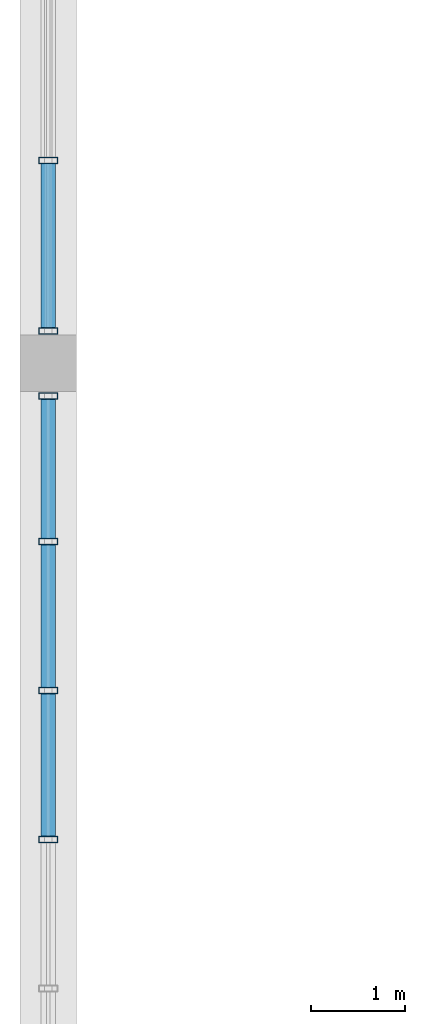
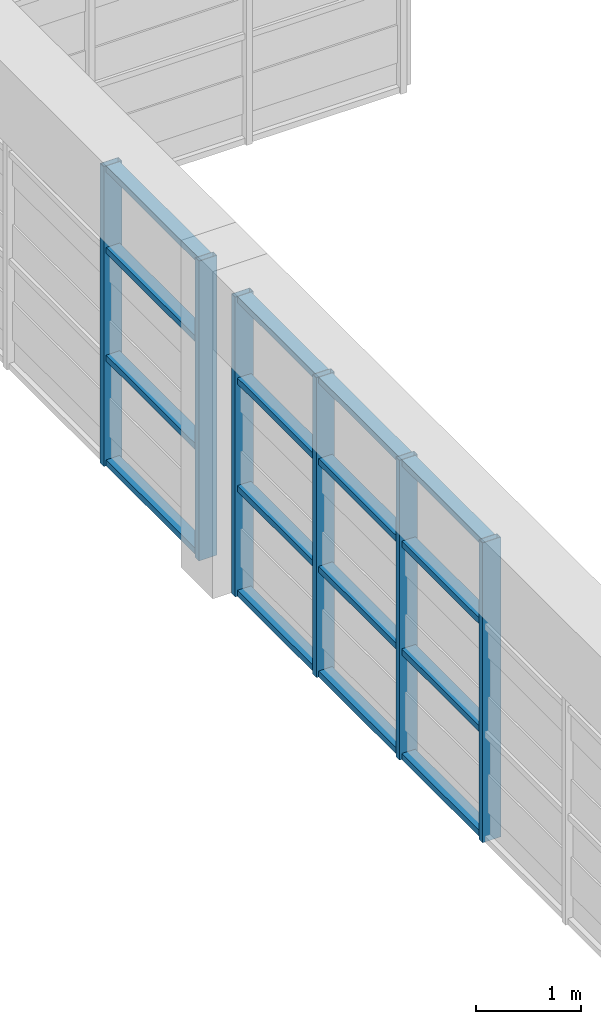
# One storey, part 12 of 27: 22 members, 2 elements without a shape of their own.
"""IFC4 building model written with IfcOpenShell, lengths in metres."""

import ifcopenshell
import ifcopenshell.guid

model = None  # the IFC model being written
_history = None  # IfcOwnerHistory: only IFC2X3 demands one
_inside = {}  # id of a spatial element -> (the spatial element, [elements in it])
_under = {}  # id of a project, library or spatial element -> (it, [spatial elements below it])
_declared = {}  # id of a project -> (the project, [libraries it declares])
_typed = {}  # id of a type object -> (the type object, [elements of that type])
_made_of = {}  # id of a material, layer set ... -> (it, [elements and type objects made of it])


def new_model(schema):
    """Start an empty IFC model of exactly this schema.

    Asked for "IFC4X3", IfcOpenShell would pick the latest addendum, in which some entities
    have other attributes; the version numbers below select the first issue.
    IFC2X3 requires an IfcOwnerHistory on every rooted entity: one is made here for all.
    """
    global model, _history
    if schema == "IFC4X3":
        model = ifcopenshell.file(schema_version=(4, 3, 0, 0))
    else:
        model = ifcopenshell.file(schema=schema)
    _inside.clear()
    _under.clear()
    _declared.clear()
    _typed.clear()
    _made_of.clear()
    _history = None
    if model.schema == "IFC2X3":
        org = make("IfcOrganization", Name="unknown")
        user = make(
            "IfcPersonAndOrganization",
            ThePerson=make("IfcPerson", FamilyName="unknown"),
            TheOrganization=org,
        )
        app = make(
            "IfcApplication",
            ApplicationDeveloper=org,
            Version="unknown",
            ApplicationFullName="unknown",
            ApplicationIdentifier="unknown",
        )
        _history = make(
            "IfcOwnerHistory",
            OwningUser=user,
            OwningApplication=app,
            ChangeAction="ADDED",
            CreationDate=0,
        )
    return model


def make(cls, **values):
    """One entity of the class cls with the attributes given. An attribute that is None is left unset."""
    return model.create_entity(
        cls, **{name: value for name, value in values.items() if value is not None}
    )


def rooted(cls, **values):
    """An entity with a GlobalId (a new one), such as an element, a storey or a relation."""
    return make(cls, GlobalId=ifcopenshell.guid.new(), OwnerHistory=_history, **values)


def si_unit(unit_type, name, prefix=None):
    """IfcSIUnit, for example si_unit("LENGTHUNIT", "METRE", prefix="MILLI")."""
    return make("IfcSIUnit", UnitType=unit_type, Prefix=prefix, Name=name)


def assignment(units):
    """IfcUnitAssignment: the units of a project."""
    return None if units is None else make("IfcUnitAssignment", Units=units)


def point(xyz):
    """IfcCartesianPoint."""
    return None if xyz is None else make("IfcCartesianPoint", Coordinates=xyz)


def direction(xyz):
    """IfcDirection."""
    return None if xyz is None else make("IfcDirection", DirectionRatios=xyz)


def frame(location, z_axis=None, x_axis=None):
    """IfcAxis2Placement3D, a coordinate frame: its origin and axes. An axis left out is left unset."""
    return make(
        "IfcAxis2Placement3D",
        Location=point(location),
        Axis=direction(z_axis),
        RefDirection=direction(x_axis),
    )


def frame_2d(location, x_axis=None):
    """IfcAxis2Placement2D, a coordinate frame in the plane: its origin and x axis."""
    return make(
        "IfcAxis2Placement2D", Location=point(location), RefDirection=direction(x_axis)
    )


def origin():
    """The frame at (0, 0, 0) with its axes left unset."""
    return frame((0.0, 0.0, 0.0))


def origin_2d():
    """The frame at (0, 0) in the plane with its x axis left unset."""
    return frame_2d((0.0, 0.0))


def place(relative_to, where):
    """IfcLocalPlacement: puts the frame where relative to a parent placement (None: the world)."""
    return make(
        "IfcLocalPlacement", PlacementRelTo=relative_to, RelativePlacement=where
    )


def context(
    kind, dimensions, precision=None, world=None, true_north=None, identifier=None
):
    """IfcGeometricRepresentationContext, for example the 3D "Model" context."""
    return make(
        "IfcGeometricRepresentationContext",
        ContextIdentifier=identifier,
        ContextType=kind,
        CoordinateSpaceDimension=dimensions,
        Precision=precision,
        WorldCoordinateSystem=world,
        TrueNorth=true_north,
    )


def subcontext(parent, identifier, kind, view, scale=None):
    """IfcGeometricRepresentationSubContext, for example "Body" below "Model"."""
    return make(
        "IfcGeometricRepresentationSubContext",
        ContextIdentifier=identifier,
        ContextType=kind,
        ParentContext=parent,
        TargetScale=scale,
        TargetView=view,
    )


def project(units=None, contexts=None):
    """IfcProject with its units and contexts."""
    return rooted(
        "IfcProject",
        Name="project",
        RepresentationContexts=contexts,
        UnitsInContext=assignment(units),
    )


def spatial(cls, under=None, at=None, **own):
    """A site, building, storey or space (cls), placed at a placement, below another one or the project."""
    s = rooted(cls, ObjectPlacement=at, **own)
    if under is not None:
        _under.setdefault(under.id(), (under, []))[1].append(s)
    return s


def profile(cls, at=None, kind="AREA", **sizes):
    """A parametric profile (cls). Its sizes go by their IFC names, for example OverallWidth=200.0."""
    return make(cls, ProfileType=kind, Position=at, **sizes)


def hollow_rectangle(**sizes):
    """IfcRectangleHollowProfileDef."""
    return profile("IfcRectangleHollowProfileDef", **sizes)


def extrude(swept, where, along, depth):
    """IfcExtrudedAreaSolid: the profile swept, set in the frame where, extruded along a direction by depth."""
    return make(
        "IfcExtrudedAreaSolid",
        SweptArea=swept,
        Position=where,
        ExtrudedDirection=direction(along),
        Depth=depth,
    )


def shape(context_of_items, identifier, shape_type, items):
    """IfcShapeRepresentation: the items that make up one representation, for example the "Body"."""
    return make(
        "IfcShapeRepresentation",
        ContextOfItems=context_of_items,
        RepresentationIdentifier=identifier,
        RepresentationType=shape_type,
        Items=items,
    )


def source(mapping_origin, context_of_items, identifier, shape_type, items):
    """IfcRepresentationMap: a shape defined once, which mapped items show again and again."""
    return make(
        "IfcRepresentationMap",
        MappingOrigin=mapping_origin,
        MappedRepresentation=shape(context_of_items, identifier, shape_type, items),
    )


def transform(
    local_origin,
    x_axis=None,
    y_axis=None,
    z_axis=None,
    scale=None,
    scale2=None,
    scale3=None,
    uniform=True,
):
    """IfcCartesianTransformationOperator3D, or its non-uniform kind. x_axis, y_axis, z_axis: its Axis1, 2, 3."""
    if uniform:
        return make(
            "IfcCartesianTransformationOperator3D",
            Axis1=direction(x_axis),
            Axis2=direction(y_axis),
            LocalOrigin=point(local_origin),
            Scale=scale,
            Axis3=direction(z_axis),
        )
    return make(
        "IfcCartesianTransformationOperator3DnonUniform",
        Axis1=direction(x_axis),
        Axis2=direction(y_axis),
        LocalOrigin=point(local_origin),
        Scale=scale,
        Axis3=direction(z_axis),
        Scale2=scale2,
        Scale3=scale3,
    )


def mapped(mapping_source, mapping_target):
    """IfcMappedItem: shows the shape of a source again, moved by a transform."""
    return make(
        "IfcMappedItem", MappingSource=mapping_source, MappingTarget=mapping_target
    )


def material(Name=None, Category=None):
    """IfcMaterial."""
    return make("IfcMaterial", Name=Name, Category=Category)


def layer(
    of_material, thickness, ventilated=None, Name=None, Category=None, Priority=None
):
    """IfcMaterialLayer: one layer of a wall or slab, of a material (None: an air gap)."""
    return make(
        "IfcMaterialLayer",
        Material=of_material,
        LayerThickness=thickness,
        IsVentilated=ventilated,
        Name=Name,
        Category=Category,
        Priority=Priority,
    )


def layer_set(layers, Name=None):
    """IfcMaterialLayerSet."""
    return make("IfcMaterialLayerSet", MaterialLayers=layers, LayerSetName=Name)


def material_profile(
    of_material, cross_section, Name=None, Category=None, Priority=None
):
    """IfcMaterialProfile: a cross section and its material."""
    return make(
        "IfcMaterialProfile",
        Name=Name,
        Material=of_material,
        Profile=cross_section,
        Priority=Priority,
        Category=Category,
    )


def profile_set(profiles, Name=None, composite=None):
    """IfcMaterialProfileSet."""
    return make(
        "IfcMaterialProfileSet",
        Name=Name,
        MaterialProfiles=profiles,
        CompositeProfile=composite,
    )


def made_of(thing, what):
    """Note that an element or type object is made of a material, layer set ...; save() writes the relation."""
    if what is not None:
        _made_of.setdefault(what.id(), (what, []))[1].append(thing)
    return thing


def type_object(cls, material=None, **own):
    """A type object (cls), such as IfcWallType, which elements share."""
    return made_of(rooted(cls, **own), material)


def element(
    cls,
    number,
    at=None,
    inside=None,
    cuts=None,
    type_object=None,
    material=None,
    context=None,
    identifier="Body",
    shape_type=None,
    held_by="IfcProductDefinitionShape",
    body=None,
    shapes=None,
    **own,
):
    """One element of the class cls, such as IfcWall. Its Tag is "e" and its number.

    at: its placement. inside: the storey or other place that contains it. cuts: it is an
    opening in that element (IfcRelVoidsElement). A single representation is given by context,
    identifier, shape_type and body (its items); several are given by shapes. held_by: the class
    of the entity that holds the representations. save() writes the other relations.
    """
    e = rooted(cls, Tag="e%d" % number, ObjectPlacement=at, **own)
    if body is not None:
        shapes = [shape(context, identifier, shape_type, body)]
    if shapes is not None:
        e.Representation = make(held_by, Representations=shapes)
    if inside is not None:
        _inside.setdefault(inside.id(), (inside, []))[1].append(e)
    if cuts is not None:
        rooted(
            "IfcRelVoidsElement", RelatingBuildingElement=cuts, RelatedOpeningElement=e
        )
    if type_object is not None:
        _typed.setdefault(type_object.id(), (type_object, []))[1].append(e)
    return made_of(e, material)


def aggregate(whole, parts):
    """IfcRelAggregates: a whole, such as a stair, and the parts it consists of."""
    return rooted("IfcRelAggregates", RelatingObject=whole, RelatedObjects=parts)


def save(model, path):
    """Write the relations noted so far, then the file.

    IfcRelAggregates (storeys below a building ...), IfcRelContainedInSpatialStructure (elements
    in a storey), IfcRelDefinesByType, IfcRelAssociatesMaterial and IfcRelDeclares: one each for
    every whole, place, type object, material and project.
    """
    for whole, parts in _under.values():
        aggregate(whole, parts)
    for where, things in _inside.values():
        rooted(
            "IfcRelContainedInSpatialStructure",
            RelatedElements=things,
            RelatingStructure=where,
        )
    for kind, things in _typed.values():
        rooted("IfcRelDefinesByType", RelatedObjects=things, RelatingType=kind)
    for what, things in _made_of.values():
        rooted("IfcRelAssociatesMaterial", RelatedObjects=things, RelatingMaterial=what)
    for by, libraries in _declared.values():
        rooted("IfcRelDeclares", RelatingContext=by, RelatedDefinitions=libraries)
    model.write(path)


model = new_model("IFC4")

# Units and contexts
model_context = context("Model", 3, precision=1e-05, world=origin(), true_north=direction((0.0, 1.0)))
body_context = subcontext(model_context, "Body", "Model", "MODEL_VIEW")
ifc_project = project(units=[si_unit("LENGTHUNIT", "METRE"), si_unit("AREAUNIT", "SQUARE_METRE"), si_unit("VOLUMEUNIT", "CUBIC_METRE"), si_unit("PLANEANGLEUNIT", "RADIAN"), si_unit("MASSUNIT", "GRAM", prefix="KILO")], contexts=[model_context])

# Site, building, storey
site_placement = place(None, origin())
site = spatial("IfcSite", under=ifc_project, at=site_placement, CompositionType="ELEMENT")
building_placement = place(site_placement, origin())
building = spatial("IfcBuilding", under=site, at=building_placement, Name="Saelheon Loggia Tower", CompositionType="ELEMENT")
storey_placement = place(building_placement, frame((0.0, 0.0, 256.0)))
storey = spatial("IfcBuildingStorey", under=building, at=storey_placement, Name="CR2", CompositionType="ELEMENT", Elevation=256.0)

# Curtain wall, members
ifc_material_1 = material(Name="Bronze-Anodised Aluminium and Fritted Ceramic Screen", Category="aluminium")
ifc_layer = layer(ifc_material_1, 0.219970703125)
ifc_layer_set = layer_set([ifc_layer], Name="Bronze-Anodised Aluminium and Fritted Ceramic Screen")
curtain_wall_type = type_object("IfcCurtainWallType", Name="CW_CrownScreen", PredefinedType="NOTDEFINED", material=ifc_layer_set)
curtain_wall_1_placement = place(storey_placement, origin())
curtain_wall_1 = element("IfcCurtainWall", 1, at=curtain_wall_1_placement, inside=storey, type_object=curtain_wall_type, Name="CR2 Crown Screen Curtain Wall 9-1", PredefinedType="NOTDEFINED")
ifc_material_2 = material(Name="Bronze-Anodised Aluminium 6063-T6", Category="aluminium")
ifc_material_profile_1 = material_profile(ifc_material_2, hollow_rectangle(XDim=0.070068359375, YDim=0.199951171875, WallThickness=0.0048828125, at=origin_2d()), Name="RHS-200x70x5")
ifc_profile_set_1 = profile_set([ifc_material_profile_1], Name="Bronze-Anodised Aluminium 6063-T6")
member_type_1 = type_object("IfcMemberType", Name="CW_CrownScreen_Mullion", PredefinedType="MULLION", material=ifc_profile_set_1)
shared_shape_1 = source(origin(), body_context, "Body", "SweptSolid", [
    extrude(hollow_rectangle(XDim=0.070068359375, YDim=0.199951171875, WallThickness=0.0048828125, at=origin_2d()), origin(), (0.0, 0.0, 1.0), 3.47998046875),
])
member_1_placement = place(storey_placement, frame((23.35009765625, 38.1533203125, 0.0), z_axis=(0.0, 0.0, 1.0), x_axis=(0.0, -1.0, 0.0)))
member_1 = element("IfcMember", 2, at=member_1_placement, type_object=member_type_1, Name="CW6 mullion 3", PredefinedType="MULLION", context=body_context, shape_type="MappedRepresentation", body=[
    mapped(shared_shape_1, transform((0.0, 0.0, 0.0), scale=1.0)),
])
member_2_placement = place(storey_placement, frame((23.35009765625, 36.344970703125, 0.0), z_axis=(0.0, 0.0, 1.0), x_axis=(0.0, -1.0, 0.0)))
member_2 = element("IfcMember", 3, at=member_2_placement, type_object=member_type_1, Name="CW6 mullion 4", PredefinedType="MULLION", context=body_context, shape_type="MappedRepresentation", body=[
    mapped(shared_shape_1, transform((0.0, 0.0, 0.0), scale=1.0)),
])

curtain_wall_2_placement = place(storey_placement, origin())
curtain_wall_2 = element("IfcCurtainWall", 4, at=curtain_wall_2_placement, inside=storey, type_object=curtain_wall_type, Name="CR2 Crown Screen Curtain Wall 9-2", PredefinedType="NOTDEFINED")
member_3_placement = place(storey_placement, frame((23.35009765625, 35.655029296875, 0.0), z_axis=(0.0, 0.0, 1.0), x_axis=(0.0, -1.0, 0.0)))
member_3 = element("IfcMember", 5, at=member_3_placement, type_object=member_type_1, Name="CW6 mullion 1", PredefinedType="MULLION", context=body_context, shape_type="MappedRepresentation", body=[
    mapped(shared_shape_1, transform((0.0, 0.0, 0.0), scale=1.0)),
])
member_4_placement = place(storey_placement, frame((23.35009765625, 34.110107421875, 0.0), z_axis=(0.0, 0.0, 1.0), x_axis=(0.0, -1.0, 0.0)))
member_4 = element("IfcMember", 6, at=member_4_placement, type_object=member_type_1, Name="CW6 mullion 2", PredefinedType="MULLION", context=body_context, shape_type="MappedRepresentation", body=[
    mapped(shared_shape_1, transform((0.0, 0.0, 0.0), scale=1.0)),
])
member_5_placement = place(storey_placement, frame((23.35009765625, 32.530029296875, 0.0), z_axis=(0.0, 0.0, 1.0), x_axis=(0.0, -1.0, 0.0)))
member_5 = element("IfcMember", 7, at=member_5_placement, type_object=member_type_1, Name="CW6 mullion 3", PredefinedType="MULLION", context=body_context, shape_type="MappedRepresentation", body=[
    mapped(shared_shape_1, transform((0.0, 0.0, 0.0), scale=1.0)),
])
member_6_placement = place(storey_placement, frame((23.35009765625, 30.949951171875, 0.0), z_axis=(0.0, 0.0, 1.0), x_axis=(0.0, -1.0, 0.0)))
member_6 = element("IfcMember", 8, at=member_6_placement, type_object=member_type_1, Name="CW6 mullion 4", PredefinedType="MULLION", context=body_context, shape_type="MappedRepresentation", body=[
    mapped(shared_shape_1, transform((0.0, 0.0, 0.0), scale=1.0)),
])

# Member
ifc_material_profile_2 = material_profile(ifc_material_2, hollow_rectangle(XDim=0.070068359375, YDim=0.14990234375, WallThickness=0.0048828125, at=origin_2d()), Name="RHS-150x70x5")
ifc_profile_set_2 = profile_set([ifc_material_profile_2], Name="Bronze-Anodised Aluminium 6063-T6")
member_type_2 = type_object("IfcMemberType", Name="CW_CrownScreen_Transom", PredefinedType="USERDEFINED", material=ifc_profile_set_2)
shared_shape_2 = source(origin(), body_context, "Body", "SweptSolid", [
    extrude(hollow_rectangle(XDim=0.070068359375, YDim=0.14990234375, WallThickness=0.0048828125, at=origin_2d()), origin(), (0.0, 0.0, 1.0), 1.738525390625),
])
member_7_placement = place(storey_placement, frame((23.35009765625, 38.118408203125, 0.034912109375), z_axis=(0.0, -1.0, 0.0), x_axis=(0.0, 0.0, 1.0)))
member_7 = element("IfcMember", 9, at=member_7_placement, type_object=member_type_2, Name="CW6 transom 3.1", ObjectType="TRANSOM", PredefinedType="USERDEFINED", context=body_context, shape_type="MappedRepresentation", body=[
    mapped(shared_shape_2, transform((0.0, 0.0, 0.0), scale=1.0)),
])

member_8_placement = place(storey_placement, frame((23.35009765625, 38.118408203125, 1.25), z_axis=(0.0, -1.0, 0.0), x_axis=(0.0, 0.0, 1.0)))
member_8 = element("IfcMember", 10, at=member_8_placement, type_object=member_type_2, Name="CW6 transom 3.2", ObjectType="TRANSOM", PredefinedType="USERDEFINED", context=body_context, shape_type="MappedRepresentation", body=[
    mapped(shared_shape_2, transform((0.0, 0.0, 0.0), scale=1.0)),
])

member_9_placement = place(storey_placement, frame((23.35009765625, 38.118408203125, 2.5), z_axis=(0.0, -1.0, 0.0), x_axis=(0.0, 0.0, 1.0)))
member_9 = element("IfcMember", 11, at=member_9_placement, type_object=member_type_2, Name="CW6 transom 3.3", ObjectType="TRANSOM", PredefinedType="USERDEFINED", context=body_context, shape_type="MappedRepresentation", body=[
    mapped(shared_shape_2, transform((0.0, 0.0, 0.0), scale=1.0)),
])

member_10_placement = place(storey_placement, frame((23.35009765625, 38.118408203125, 3.445068359375), z_axis=(0.0, -1.0, 0.0), x_axis=(0.0, 0.0, 1.0)))
member_10 = element("IfcMember", 12, at=member_10_placement, type_object=member_type_2, Name="CW6 transom 3.4", ObjectType="TRANSOM", PredefinedType="USERDEFINED", context=body_context, shape_type="MappedRepresentation", body=[
    mapped(shared_shape_2, transform((0.0, 0.0, 0.0), scale=1.0)),
])

aggregate(curtain_wall_1, [member_1, member_2, member_7, member_8, member_9, member_10])

shared_shape_3 = source(origin(), body_context, "Body", "SweptSolid", [
    extrude(hollow_rectangle(XDim=0.070068359375, YDim=0.14990234375, WallThickness=0.0048828125, at=origin_2d()), origin(), (0.0, 0.0, 1.0), 1.47509765625),
])
member_11_placement = place(storey_placement, frame((23.35009765625, 35.6201171875, 0.034912109375), z_axis=(0.0, -1.0, 0.0), x_axis=(0.0, 0.0, 1.0)))
member_11 = element("IfcMember", 13, at=member_11_placement, type_object=member_type_2, Name="CW6 transom 1.1", ObjectType="TRANSOM", PredefinedType="USERDEFINED", context=body_context, shape_type="MappedRepresentation", body=[
    mapped(shared_shape_3, transform((0.0, 0.0, 0.0), scale=1.0)),
])

member_12_placement = place(storey_placement, frame((23.35009765625, 35.6201171875, 1.25), z_axis=(0.0, -1.0, 0.0), x_axis=(0.0, 0.0, 1.0)))
member_12 = element("IfcMember", 14, at=member_12_placement, type_object=member_type_2, Name="CW6 transom 1.2", ObjectType="TRANSOM", PredefinedType="USERDEFINED", context=body_context, shape_type="MappedRepresentation", body=[
    mapped(shared_shape_3, transform((0.0, 0.0, 0.0), scale=1.0)),
])

member_13_placement = place(storey_placement, frame((23.35009765625, 35.6201171875, 2.5), z_axis=(0.0, -1.0, 0.0), x_axis=(0.0, 0.0, 1.0)))
member_13 = element("IfcMember", 15, at=member_13_placement, type_object=member_type_2, Name="CW6 transom 1.3", ObjectType="TRANSOM", PredefinedType="USERDEFINED", context=body_context, shape_type="MappedRepresentation", body=[
    mapped(shared_shape_3, transform((0.0, 0.0, 0.0), scale=1.0)),
])

member_14_placement = place(storey_placement, frame((23.35009765625, 35.6201171875, 3.445068359375), z_axis=(0.0, -1.0, 0.0), x_axis=(0.0, 0.0, 1.0)))
member_14 = element("IfcMember", 16, at=member_14_placement, type_object=member_type_2, Name="CW6 transom 1.4", ObjectType="TRANSOM", PredefinedType="USERDEFINED", context=body_context, shape_type="MappedRepresentation", body=[
    mapped(shared_shape_3, transform((0.0, 0.0, 0.0), scale=1.0)),
])

shared_shape_4 = source(origin(), body_context, "Body", "SweptSolid", [
    extrude(hollow_rectangle(XDim=0.070068359375, YDim=0.14990234375, WallThickness=0.0048828125, at=origin_2d()), origin(), (0.0, 0.0, 1.0), 1.510009765625),
])
member_15_placement = place(storey_placement, frame((23.35009765625, 34.074951171875, 0.034912109375), z_axis=(0.0, -1.0, 0.0), x_axis=(0.0, 0.0, 1.0)))
member_15 = element("IfcMember", 17, at=member_15_placement, type_object=member_type_2, Name="CW6 transom 2.1", ObjectType="TRANSOM", PredefinedType="USERDEFINED", context=body_context, shape_type="MappedRepresentation", body=[
    mapped(shared_shape_4, transform((0.0, 0.0, 0.0), scale=1.0)),
])

member_16_placement = place(storey_placement, frame((23.35009765625, 34.074951171875, 1.25), z_axis=(0.0, -1.0, 0.0), x_axis=(0.0, 0.0, 1.0)))
member_16 = element("IfcMember", 18, at=member_16_placement, type_object=member_type_2, Name="CW6 transom 2.2", ObjectType="TRANSOM", PredefinedType="USERDEFINED", context=body_context, shape_type="MappedRepresentation", body=[
    mapped(shared_shape_4, transform((0.0, 0.0, 0.0), scale=1.0)),
])

member_17_placement = place(storey_placement, frame((23.35009765625, 34.074951171875, 2.5), z_axis=(0.0, -1.0, 0.0), x_axis=(0.0, 0.0, 1.0)))
member_17 = element("IfcMember", 19, at=member_17_placement, type_object=member_type_2, Name="CW6 transom 2.3", ObjectType="TRANSOM", PredefinedType="USERDEFINED", context=body_context, shape_type="MappedRepresentation", body=[
    mapped(shared_shape_4, transform((0.0, 0.0, 0.0), scale=1.0)),
])

member_18_placement = place(storey_placement, frame((23.35009765625, 34.074951171875, 3.445068359375), z_axis=(0.0, -1.0, 0.0), x_axis=(0.0, 0.0, 1.0)))
member_18 = element("IfcMember", 20, at=member_18_placement, type_object=member_type_2, Name="CW6 transom 2.4", ObjectType="TRANSOM", PredefinedType="USERDEFINED", context=body_context, shape_type="MappedRepresentation", body=[
    mapped(shared_shape_4, transform((0.0, 0.0, 0.0), scale=1.0)),
])

member_19_placement = place(storey_placement, frame((23.35009765625, 32.4951171875, 0.034912109375), z_axis=(0.0, -1.0, 0.0), x_axis=(0.0, 0.0, 1.0)))
member_19 = element("IfcMember", 21, at=member_19_placement, type_object=member_type_2, Name="CW6 transom 3.1", ObjectType="TRANSOM", PredefinedType="USERDEFINED", context=body_context, shape_type="MappedRepresentation", body=[
    mapped(shared_shape_4, transform((0.0, 0.0, 0.0), scale=1.0)),
])

member_20_placement = place(storey_placement, frame((23.35009765625, 32.4951171875, 1.25), z_axis=(0.0, -1.0, 0.0), x_axis=(0.0, 0.0, 1.0)))
member_20 = element("IfcMember", 22, at=member_20_placement, type_object=member_type_2, Name="CW6 transom 3.2", ObjectType="TRANSOM", PredefinedType="USERDEFINED", context=body_context, shape_type="MappedRepresentation", body=[
    mapped(shared_shape_4, transform((0.0, 0.0, 0.0), scale=1.0)),
])

member_21_placement = place(storey_placement, frame((23.35009765625, 32.4951171875, 2.5), z_axis=(0.0, -1.0, 0.0), x_axis=(0.0, 0.0, 1.0)))
member_21 = element("IfcMember", 23, at=member_21_placement, type_object=member_type_2, Name="CW6 transom 3.3", ObjectType="TRANSOM", PredefinedType="USERDEFINED", context=body_context, shape_type="MappedRepresentation", body=[
    mapped(shared_shape_4, transform((0.0, 0.0, 0.0), scale=1.0)),
])

member_22_placement = place(storey_placement, frame((23.35009765625, 32.4951171875, 3.445068359375), z_axis=(0.0, -1.0, 0.0), x_axis=(0.0, 0.0, 1.0)))
member_22 = element("IfcMember", 24, at=member_22_placement, type_object=member_type_2, Name="CW6 transom 3.4", ObjectType="TRANSOM", PredefinedType="USERDEFINED", context=body_context, shape_type="MappedRepresentation", body=[
    mapped(shared_shape_4, transform((0.0, 0.0, 0.0), scale=1.0)),
])

aggregate(curtain_wall_2, [member_3, member_4, member_5, member_6, member_11, member_12, member_13, member_14, member_15, member_16, member_17, member_18, member_19, member_20, member_21, member_22])

save(model, "model.ifc")
